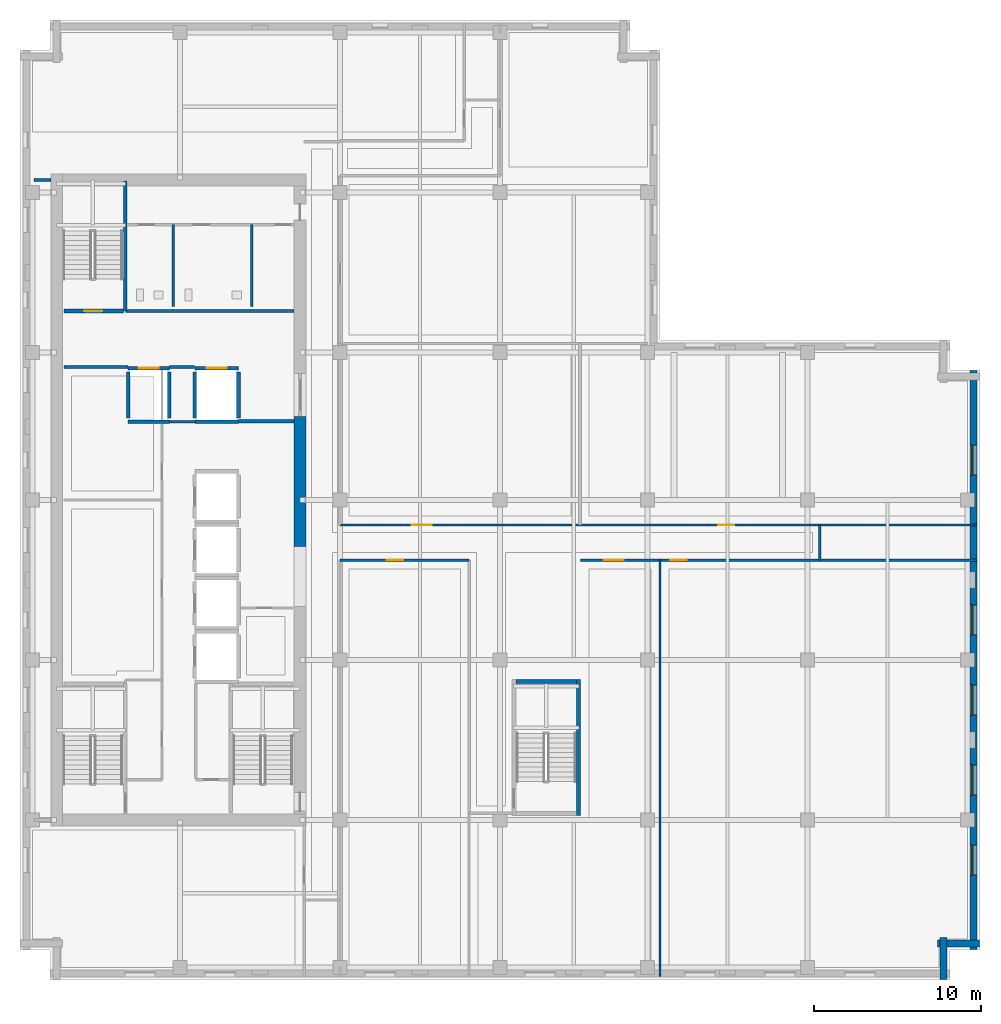
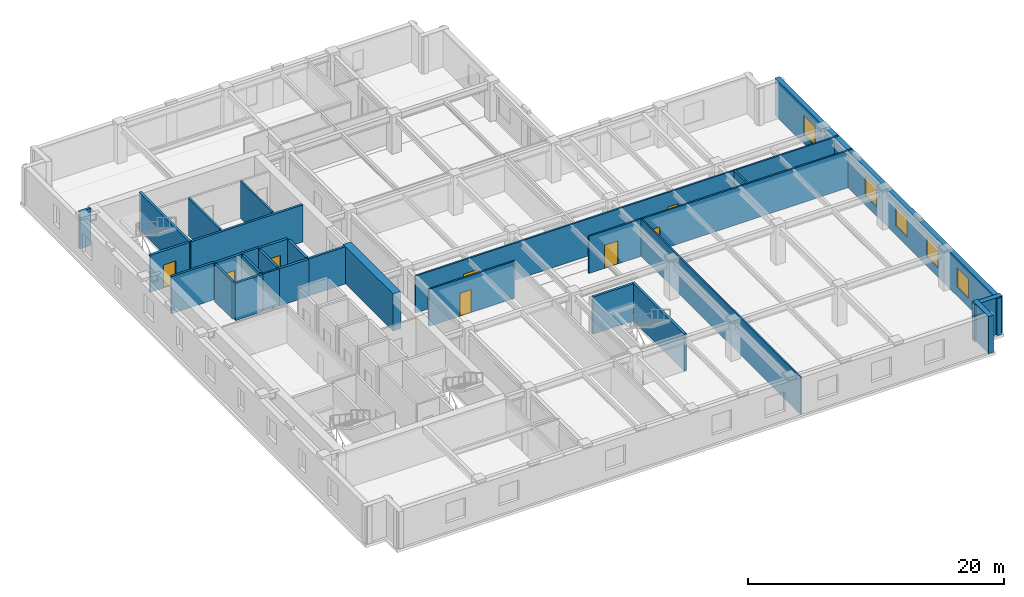
# One storey, part 5 of 14: 29 walls, 8 doors, 5 windows, 13 openings.
"""IFC4 building model written with IfcOpenShell, lengths in metres."""

from ifc_helpers import new_model, si_unit, direction, frame, frame_2d, origin, place, context, subcontext, project, spatial, rectangle, extrude, material, layer, layer_set, type_object, element, fill, save


model = new_model("IFC4")

# Units and contexts
model_context = context("Model", 3, precision=1e-05, world=origin(), true_north=direction((0.0, 1.0)))
body_context = subcontext(model_context, "Body", "Model", "MODEL_VIEW")
ifc_project = project(units=[si_unit("LENGTHUNIT", "METRE"), si_unit("AREAUNIT", "SQUARE_METRE"), si_unit("VOLUMEUNIT", "CUBIC_METRE"), si_unit("PLANEANGLEUNIT", "RADIAN"), si_unit("MASSUNIT", "GRAM", prefix="KILO")], contexts=[model_context])

# Site, building, storey
site_placement = place(None, origin())
site = spatial("IfcSite", under=ifc_project, at=site_placement, CompositionType="ELEMENT")
building_placement = place(site_placement, origin())
building = spatial("IfcBuilding", under=site, at=building_placement, Name="Norrvale University Quadrangle", CompositionType="ELEMENT")
storey_placement = place(building_placement, frame((0.0, 0.0, 218.0)))
storey = spatial("IfcBuildingStorey", under=building, at=storey_placement, Name="L55", CompositionType="ELEMENT", Elevation=218.0)

# Walls
ifc_material_1 = material(Name="Buff Norman Clay Brick Masonry", Category="masonry")
ifc_layer_1 = layer(ifc_material_1, 0.419921875, Name="Buff Norman Clay Brick Masonry")
ifc_layer_set_1 = layer_set([ifc_layer_1], Name="Buff Norman Clay Brick Masonry")
wall_type_1 = type_object("IfcWallType", Name="Wall Buff Brick 420", PredefinedType="SOLIDWALL", material=ifc_layer_set_1)
for number, where, z_axis, x_axis, name in (
    (1, (55.409912109375, 0.0400390625, 0.0), (0.0, 0.0, 1.0), (0.0, 1.0, 0.0), "Exterior Brick Facade Wall L55-02.1"),
    (2, (55.06005859375, 2.18994140625, 0.0), (0.0, 0.0, 1.0), (1.0, 0.0, 0.0), "Exterior Brick Facade Wall L55-03.1"),
):
    element("IfcWall", number, at=place(storey_placement, frame(where, z_axis=z_axis, x_axis=x_axis)), inside=storey, type_object=wall_type_1, Name=name, PredefinedType="SOLIDWALL", context=body_context, shape_type="SweptSolid", body=[
        extrude(rectangle(XDim=2.5, YDim=0.419921875, at=frame_2d((1.25, 0.0))), origin(), (0.0, 0.0, 1.0), 3.5400390625),
    ])

# Wall, openings, windows
wall_1_placement = place(storey_placement, frame((57.2099609375, 1.840087890625, 0.0), z_axis=(0.0, 0.0, 1.0), x_axis=(0.0, 1.0, 0.0)))
wall_1 = element("IfcWall", 3, at=wall_1_placement, inside=storey, type_object=wall_type_1, Name="Exterior Brick Facade Wall L55-04.1", PredefinedType="SOLIDWALL", context=body_context, shape_type="SweptSolid", body=[
    extrude(rectangle(XDim=34.719970703125, YDim=0.419921875, at=frame_2d((17.35986328125, 0.0))), origin(), (0.0, 0.0, 1.0), 3.5400390625),
])
opening_1_placement = place(wall_1_placement, frame((4.4599609375, 0.0, 0.85009765625)))
opening_1 = element("IfcOpeningElement", 4, at=opening_1_placement, cuts=wall_1, Name="Opening W01", PredefinedType="OPENING", context=body_context, shape_type="SweptSolid", body=[
    extrude(rectangle(XDim=1.800048828125, YDim=1.85009765625, at=frame_2d((0.89990234375, 0.925048828125))), frame((0.0, 0.221923828125, 0.0), z_axis=(0.0, -1.0, 0.0), x_axis=(1.0, 0.0, 0.0)), (0.0, 0.0, 1.0), 0.44384765625),
])
opening_2_placement = place(wall_1_placement, frame((9.260009765625, 0.0, 0.85009765625)))
opening_2 = element("IfcOpeningElement", 5, at=opening_2_placement, cuts=wall_1, Name="Opening W01", PredefinedType="OPENING", context=body_context, shape_type="SweptSolid", body=[
    extrude(rectangle(XDim=1.800048828125, YDim=1.85009765625, at=frame_2d((0.89990234375, 0.925048828125))), frame((0.0, 0.221923828125, 0.0), z_axis=(0.0, -1.0, 0.0), x_axis=(1.0, 0.0, 0.0)), (0.0, 0.0, 1.0), 0.44384765625),
])
opening_3_placement = place(wall_1_placement, frame((14.06005859375, 0.0, 0.85009765625)))
opening_3 = element("IfcOpeningElement", 6, at=opening_3_placement, cuts=wall_1, Name="Opening W01", PredefinedType="OPENING", context=body_context, shape_type="SweptSolid", body=[
    extrude(rectangle(XDim=1.800048828125, YDim=1.85009765625, at=frame_2d((0.89990234375, 0.925048828125))), frame((0.0, 0.221923828125, 0.0), z_axis=(0.0, -1.0, 0.0), x_axis=(1.0, 0.0, 0.0)), (0.0, 0.0, 1.0), 0.44384765625),
])
opening_4_placement = place(wall_1_placement, frame((18.860107421875, 0.0, 0.85009765625)))
opening_4 = element("IfcOpeningElement", 7, at=opening_4_placement, cuts=wall_1, Name="Opening W01", PredefinedType="OPENING", context=body_context, shape_type="SweptSolid", body=[
    extrude(rectangle(XDim=1.800048828125, YDim=1.85009765625, at=frame_2d((0.89990234375, 0.925048828125))), frame((0.0, 0.221923828125, 0.0), z_axis=(0.0, -1.0, 0.0), x_axis=(1.0, 0.0, 0.0)), (0.0, 0.0, 1.0), 0.44384765625),
])
opening_5_placement = place(wall_1_placement, frame((28.4599609375, 0.0, 0.85009765625)))
opening_5 = element("IfcOpeningElement", 8, at=opening_5_placement, cuts=wall_1, Name="Opening W01", PredefinedType="OPENING", context=body_context, shape_type="SweptSolid", body=[
    extrude(rectangle(XDim=1.800048828125, YDim=1.85009765625, at=frame_2d((0.89990234375, 0.925048828125))), frame((0.0, 0.221923828125, 0.0), z_axis=(0.0, -1.0, 0.0), x_axis=(1.0, 0.0, 0.0)), (0.0, 0.0, 1.0), 0.44384765625),
])
ifc_material_2 = material(Name="Triple Low-E Argon Glazing", Category="glass")
window_type = type_object("IfcWindowType", Name="Window Academic 1800x2300", PartitioningType="DOUBLE_PANEL_VERTICAL", PredefinedType="WINDOW", material=ifc_material_2)
window_1_placement = place(opening_1_placement, origin())
window_1 = element("IfcWindow", 9, at=window_1_placement, inside=storey, type_object=window_type, Name="Window Academic 1800x2300 WIN-L55-E04-1-01", OverallHeight=1.85009765625, OverallWidth=1.800048828125, PartitioningType="DOUBLE_PANEL_VERTICAL", PredefinedType="WINDOW", context=body_context, shape_type="SweptSolid", body=[
    extrude(rectangle(XDim=1.800048828125, YDim=1.85009765625, at=frame_2d((0.89990234375, 0.925048828125))), frame((0.0, 0.110107421875, 0.0), z_axis=(0.0, -1.0, 0.0), x_axis=(1.0, 0.0, 0.0)), (0.0, 0.0, 1.0), 0.06005859375),
])
fill(opening_1, window_1)
window_2_placement = place(opening_2_placement, origin())
window_2 = element("IfcWindow", 10, at=window_2_placement, inside=storey, type_object=window_type, Name="Window Academic 1800x2300 WIN-L55-E04-1-02", OverallHeight=1.85009765625, OverallWidth=1.800048828125, PartitioningType="DOUBLE_PANEL_VERTICAL", PredefinedType="WINDOW", context=body_context, shape_type="SweptSolid", body=[
    extrude(rectangle(XDim=1.800048828125, YDim=1.85009765625, at=frame_2d((0.89990234375, 0.925048828125))), frame((0.0, 0.110107421875, 0.0), z_axis=(0.0, -1.0, 0.0), x_axis=(1.0, 0.0, 0.0)), (0.0, 0.0, 1.0), 0.06005859375),
])
fill(opening_2, window_2)
window_3_placement = place(opening_3_placement, origin())
window_3 = element("IfcWindow", 11, at=window_3_placement, inside=storey, type_object=window_type, Name="Window Academic 1800x2300 WIN-L55-E04-1-03", OverallHeight=1.85009765625, OverallWidth=1.800048828125, PartitioningType="DOUBLE_PANEL_VERTICAL", PredefinedType="WINDOW", context=body_context, shape_type="SweptSolid", body=[
    extrude(rectangle(XDim=1.800048828125, YDim=1.85009765625, at=frame_2d((0.89990234375, 0.925048828125))), frame((0.0, 0.110107421875, 0.0), z_axis=(0.0, -1.0, 0.0), x_axis=(1.0, 0.0, 0.0)), (0.0, 0.0, 1.0), 0.06005859375),
])
fill(opening_3, window_3)
window_4_placement = place(opening_4_placement, origin())
window_4 = element("IfcWindow", 12, at=window_4_placement, inside=storey, type_object=window_type, Name="Window Academic 1800x2300 WIN-L55-E04-1-04", OverallHeight=1.85009765625, OverallWidth=1.800048828125, PartitioningType="DOUBLE_PANEL_VERTICAL", PredefinedType="WINDOW", context=body_context, shape_type="SweptSolid", body=[
    extrude(rectangle(XDim=1.800048828125, YDim=1.85009765625, at=frame_2d((0.89990234375, 0.925048828125))), frame((0.0, 0.110107421875, 0.0), z_axis=(0.0, -1.0, 0.0), x_axis=(1.0, 0.0, 0.0)), (0.0, 0.0, 1.0), 0.06005859375),
])
fill(opening_4, window_4)
window_5_placement = place(opening_5_placement, origin())
window_5 = element("IfcWindow", 13, at=window_5_placement, inside=storey, type_object=window_type, Name="Window Academic 1800x2300 WIN-L55-E04-1-05", OverallHeight=1.85009765625, OverallWidth=1.800048828125, PartitioningType="DOUBLE_PANEL_VERTICAL", PredefinedType="WINDOW", context=body_context, shape_type="SweptSolid", body=[
    extrude(rectangle(XDim=1.800048828125, YDim=1.85009765625, at=frame_2d((0.89990234375, 0.925048828125))), frame((0.0, 0.110107421875, 0.0), z_axis=(0.0, -1.0, 0.0), x_axis=(1.0, 0.0, 0.0)), (0.0, 0.0, 1.0), 0.06005859375),
])
fill(opening_5, window_5)

# Walls
ifc_material_3 = material(Name="Concrete C60/75", Category="concrete")
ifc_layer_2 = layer(ifc_material_3, 0.699951171875, Name="Concrete C60/75")
ifc_layer_set_2 = layer_set([ifc_layer_2], Name="Concrete C60/75")
wall_type_2 = type_object("IfcWallType", Name="Wall Core 700", PredefinedType="SHEAR", material=ifc_layer_set_2)
wall_2_placement = place(storey_placement, frame((16.800048828125, 26.0, 0.0), z_axis=(0.0, 0.0, 1.0), x_axis=(0.0, 1.0, 0.0)))
element("IfcWall", 14, at=wall_2_placement, inside=storey, type_object=wall_type_2, Name="Tower Core Shear Wall L55-E2", PredefinedType="SHEAR", context=body_context, shape_type="SweptSolid", body=[
    extrude(rectangle(XDim=7.800048828125, YDim=0.699951171875, at=frame_2d((3.89990234375, 0.0))), origin(), (0.0, 0.0, 1.0), 3.5400390625),
])
ifc_material_4 = material(Name="Standard Academic Gypsum Partition")
ifc_layer_3 = layer(ifc_material_4, 0.125, Name="Standard Academic Gypsum Partition")
ifc_layer_set_3 = layer_set([ifc_layer_3], Name="Standard Academic Gypsum Partition")
wall_type_3 = type_object("IfcWallType", Name="Wall Gypsum Academic 125", PredefinedType="PARTITIONING", material=ifc_layer_set_3)
wall_3_placement = place(storey_placement, frame((38.39990234375, 0.219970703125, 0.0), z_axis=(0.0, 0.0, 1.0), x_axis=(0.0, 1.0, 0.0)))
element("IfcWall", 15, at=wall_3_placement, inside=storey, type_object=wall_type_3, Name="Interior Partition WL-L55-SEP2", PredefinedType="PARTITIONING", context=body_context, shape_type="SweptSolid", body=[
    extrude(rectangle(XDim=24.97998046875, YDim=0.125, at=frame_2d((12.489990234375, 0.0))), origin(), (0.0, 0.0, 1.0), 3.5400390625),
])
ifc_material_5 = material(Name="Fire-Rated Gypsum Stud Partition")
ifc_layer_4 = layer(ifc_material_5, 0.14990234375, Name="Fire-Rated Gypsum Stud Partition")
ifc_layer_set_4 = layer_set([ifc_layer_4], Name="Fire-Rated Gypsum Stud Partition")
wall_type_4 = type_object("IfcWallType", Name="Wall Gypsum Corridor 150", PredefinedType="PARTITIONING", material=ifc_layer_set_4)
wall_4_placement = place(storey_placement, frame((8.965087890625, 33.489990234375, 0.0), z_axis=(0.0, 0.0, 1.0), x_axis=(1.0, 0.0, 0.0)))
element("IfcWall", 16, at=wall_4_placement, inside=storey, type_object=wall_type_4, Name="Interior Partition WL-L55-LL3", PredefinedType="PARTITIONING", context=body_context, shape_type="SweptSolid", body=[
    extrude(rectangle(XDim=1.52001953125, YDim=0.14990234375, at=frame_2d((0.760009765625, 0.0))), origin(), (0.0, 0.0, 1.0), 3.5400390625),
])
wall_5_placement = place(storey_placement, frame((48.0, 25.199951171875, 0.0), z_axis=(0.0, 0.0, 1.0), x_axis=(0.0, 1.0, 0.0)))
element("IfcWall", 17, at=wall_5_placement, inside=storey, type_object=wall_type_4, Name="Interior Partition WL-L55-CESP-E", PredefinedType="PARTITIONING", context=body_context, shape_type="SweptSolid", body=[
    extrude(rectangle(XDim=2.10009765625, YDim=0.14990234375, at=frame_2d((1.050048828125, 0.0))), origin(), (0.0, 0.0, 1.0), 3.5400390625),
])

# Wall, opening, door
wall_6_placement = place(storey_placement, frame((19.199951171875, 25.199951171875, 0.0), z_axis=(0.0, 0.0, 1.0), x_axis=(1.0, 0.0, 0.0)))
wall_6 = element("IfcWall", 18, at=wall_6_placement, inside=storey, type_object=wall_type_4, Name="Interior Partition WL-L55-SEW1", PredefinedType="PARTITIONING", context=body_context, shape_type="SweptSolid", body=[
    extrude(rectangle(XDim=7.75, YDim=0.14990234375, at=frame_2d((3.875, 0.0))), origin(), (0.0, 0.0, 1.0), 3.5400390625),
])
opening_6_placement = place(wall_6_placement, frame((2.800048828125, 0.0, 0.0)))
opening_6 = element("IfcOpeningElement", 19, at=opening_6_placement, cuts=wall_6, Name="Opening D04", PredefinedType="OPENING", context=body_context, shape_type="SweptSolid", body=[
    extrude(rectangle(XDim=1.0, YDim=2.199951171875, at=frame_2d((0.5, 1.10009765625))), frame((0.0, 0.0869140625, 0.0), z_axis=(0.0, -1.0, 0.0), x_axis=(1.0, 0.0, 0.0)), (0.0, 0.0, 1.0), 0.173828125),
])
ifc_material_6 = material(Name="Solid-Core Oak Fire Door", Category="wood")
door_type_1 = type_object("IfcDoorType", Name="Door Corridor 1000x2200", OperationType="NOTDEFINED", PredefinedType="DOOR", material=ifc_material_6)
door_1_placement = place(opening_6_placement, origin())
door_1 = element("IfcDoor", 20, at=door_1_placement, inside=storey, type_object=door_type_1, Name="Door Corridor 1000x2200 DR-L55-SE1", OperationType="SINGLE_SWING_LEFT", OverallHeight=2.199951171875, OverallWidth=1.0, PredefinedType="DOOR", context=body_context, shape_type="SweptSolid", body=[
    extrude(rectangle(XDim=1.0, YDim=2.199951171875, at=frame_2d((0.5, 1.10009765625))), frame((0.0, 0.02490234375, 0.0), z_axis=(0.0, -1.0, 0.0), x_axis=(1.0, 0.0, 0.0)), (0.0, 0.0, 1.0), 0.050048828125),
])
fill(opening_6, door_1)

# Wall, openings, doors
wall_7_placement = place(storey_placement, frame((33.6201171875, 25.199951171875, 0.0), z_axis=(0.0, 0.0, 1.0), x_axis=(1.0, 0.0, 0.0)))
wall_7 = element("IfcWall", 21, at=wall_7_placement, inside=storey, type_object=wall_type_4, Name="Interior Partition WL-L55-SEW2", PredefinedType="PARTITIONING", context=body_context, shape_type="SweptSolid", body=[
    extrude(rectangle(XDim=23.759765625, YDim=0.14990234375, at=frame_2d((11.8798828125, 0.0))), origin(), (0.0, 0.0, 1.0), 3.5400390625),
])
opening_7_placement = place(wall_7_placement, frame((1.39990234375, 0.0, 0.0)))
opening_7 = element("IfcOpeningElement", 22, at=opening_7_placement, cuts=wall_7, Name="Opening D05", PredefinedType="OPENING", context=body_context, shape_type="SweptSolid", body=[
    extrude(rectangle(XDim=1.199951171875, YDim=2.199951171875, at=frame_2d((0.60009765625, 1.10009765625))), frame((0.0, 0.0869140625, 0.0), z_axis=(0.0, -1.0, 0.0), x_axis=(1.0, 0.0, 0.0)), (0.0, 0.0, 1.0), 0.173828125),
])
opening_8_placement = place(wall_7_placement, frame((5.39990234375, 0.0, 0.0)))
opening_8 = element("IfcOpeningElement", 23, at=opening_8_placement, cuts=wall_7, Name="Opening D04", PredefinedType="OPENING", context=body_context, shape_type="SweptSolid", body=[
    extrude(rectangle(XDim=1.0, YDim=2.199951171875, at=frame_2d((0.5, 1.10009765625))), frame((0.0, 0.0869140625, 0.0), z_axis=(0.0, -1.0, 0.0), x_axis=(1.0, 0.0, 0.0)), (0.0, 0.0, 1.0), 0.173828125),
])
ifc_material_7 = material(Name="Acoustic Oak Classroom Door", Category="wood")
door_type_2 = type_object("IfcDoorType", Name="Door Classroom 1200x2200", OperationType="NOTDEFINED", PredefinedType="DOOR", material=ifc_material_7)
door_2_placement = place(opening_7_placement, origin())
door_2 = element("IfcDoor", 24, at=door_2_placement, inside=storey, type_object=door_type_2, Name="Door Classroom 1200x2200 DR-L55-SE2", OperationType="SINGLE_SWING_RIGHT", OverallHeight=2.199951171875, OverallWidth=1.199951171875, PredefinedType="DOOR", context=body_context, shape_type="SweptSolid", body=[
    extrude(rectangle(XDim=1.199951171875, YDim=2.199951171875, at=frame_2d((0.60009765625, 1.10009765625))), frame((0.0, 0.02490234375, 0.0), z_axis=(0.0, -1.0, 0.0), x_axis=(1.0, 0.0, 0.0)), (0.0, 0.0, 1.0), 0.050048828125),
])
fill(opening_7, door_2)
door_3_placement = place(opening_8_placement, origin())
door_3 = element("IfcDoor", 25, at=door_3_placement, inside=storey, type_object=door_type_1, Name="Door Corridor 1000x2200 DR-L55-SE3", OperationType="SINGLE_SWING_LEFT", OverallHeight=2.199951171875, OverallWidth=1.0, PredefinedType="DOOR", context=body_context, shape_type="SweptSolid", body=[
    extrude(rectangle(XDim=1.0, YDim=2.199951171875, at=frame_2d((0.5, 1.10009765625))), frame((0.0, 0.02490234375, 0.0), z_axis=(0.0, -1.0, 0.0), x_axis=(1.0, 0.0, 0.0)), (0.0, 0.0, 1.0), 0.050048828125),
])
fill(opening_8, door_3)

wall_8_placement = place(storey_placement, frame((19.199951171875, 27.300048828125, 0.0), z_axis=(0.0, 0.0, 1.0), x_axis=(1.0, 0.0, 0.0)))
wall_8 = element("IfcWall", 26, at=wall_8_placement, inside=storey, type_object=wall_type_4, Name="Interior Partition WL-L55-MECW", PredefinedType="PARTITIONING", context=body_context, shape_type="SweptSolid", body=[
    extrude(rectangle(XDim=38.179931640625, YDim=0.14990234375, at=frame_2d((19.08984375, 0.0))), origin(), (0.0, 0.0, 1.0), 3.5400390625),
])
opening_9_placement = place(wall_8_placement, frame((4.300048828125, 0.0, 0.0)))
opening_9 = element("IfcOpeningElement", 27, at=opening_9_placement, cuts=wall_8, Name="Opening D05", PredefinedType="OPENING", context=body_context, shape_type="SweptSolid", body=[
    extrude(rectangle(XDim=1.199951171875, YDim=2.199951171875, at=frame_2d((0.60009765625, 1.10009765625))), frame((0.0, 0.0869140625, 0.0), z_axis=(0.0, -1.0, 0.0), x_axis=(1.0, 0.0, 0.0)), (0.0, 0.0, 1.0), 0.173828125),
])
opening_10_placement = place(wall_8_placement, frame((22.699951171875, 0.0, 0.0)))
opening_10 = element("IfcOpeningElement", 28, at=opening_10_placement, cuts=wall_8, Name="Opening D07", PredefinedType="OPENING", context=body_context, shape_type="SweptSolid", body=[
    extrude(rectangle(XDim=0.949951171875, YDim=2.14990234375, at=frame_2d((0.47509765625, 1.074951171875))), frame((0.0, 0.0869140625, 0.0), z_axis=(0.0, -1.0, 0.0), x_axis=(1.0, 0.0, 0.0)), (0.0, 0.0, 1.0), 0.173828125),
])
door_4_placement = place(opening_9_placement, origin())
door_4 = element("IfcDoor", 29, at=door_4_placement, inside=storey, type_object=door_type_2, Name="Door Classroom 1200x2200 DR-L55-ME01", OperationType="SINGLE_SWING_LEFT", OverallHeight=2.199951171875, OverallWidth=1.199951171875, PredefinedType="DOOR", context=body_context, shape_type="SweptSolid", body=[
    extrude(rectangle(XDim=1.199951171875, YDim=2.199951171875, at=frame_2d((0.60009765625, 1.10009765625))), frame((0.0, 0.02490234375, 0.0), z_axis=(0.0, -1.0, 0.0), x_axis=(1.0, 0.0, 0.0)), (0.0, 0.0, 1.0), 0.050048828125),
])
fill(opening_9, door_4)
ifc_material_8 = material(Name="Solid-Core Maple Door", Category="wood")
door_type_3 = type_object("IfcDoorType", Name="Door Office 950x2150", OperationType="NOTDEFINED", PredefinedType="DOOR", material=ifc_material_8)
door_5_placement = place(opening_10_placement, origin())
door_5 = element("IfcDoor", 30, at=door_5_placement, inside=storey, type_object=door_type_3, Name="Door Office 950x2150 DR-L55-ME02", OperationType="SINGLE_SWING_RIGHT", OverallHeight=2.14990234375, OverallWidth=0.949951171875, PredefinedType="DOOR", context=body_context, shape_type="SweptSolid", body=[
    extrude(rectangle(XDim=0.949951171875, YDim=2.14990234375, at=frame_2d((0.47509765625, 1.074951171875))), frame((0.0, 0.02490234375, 0.0), z_axis=(0.0, -1.0, 0.0), x_axis=(1.0, 0.0, 0.0)), (0.0, 0.0, 1.0), 0.050048828125),
])
fill(opening_10, door_5)

# Walls
ifc_material_9 = material(Name="Sanitary Chase Gypsum Partition")
ifc_layer_5 = layer(ifc_material_9, 0.1650390625, Name="Sanitary Chase Gypsum Partition")
ifc_layer_set_5 = layer_set([ifc_layer_5], Name="Sanitary Chase Gypsum Partition")
wall_type_5 = type_object("IfcWallType", Name="Wall Gypsum Sanitary 165", PredefinedType="PLUMBINGWALL", material=ifc_layer_set_5)
for number, where, z_axis, x_axis, name in (
    (31, (9.199951171875, 40.39990234375, 0.0), (0.0, 0.0, 1.0), (0.0, 1.0, 0.0), "Interior Partition WL-L55-WCM1"),
    (32, (13.89990234375, 40.39990234375, 0.0), (0.0, 0.0, 1.0), (0.0, 1.0, 0.0), "Interior Partition WL-L55-WCM2"),
):
    element("IfcWall", number, at=place(storey_placement, frame(where, z_axis=z_axis, x_axis=x_axis)), inside=storey, type_object=wall_type_5, Name=name, PredefinedType="PLUMBINGWALL", context=body_context, shape_type="SweptSolid", body=[
        extrude(rectangle(XDim=4.920166015625, YDim=0.1650390625, at=frame_2d((2.4599609375, 0.0))), origin(), (0.0, 0.0, 1.0), 3.5400390625),
    ])
ifc_material_10 = material(Name="Concrete Blockwork 20 MPa Rated Wall", Category="masonry")
ifc_layer_6 = layer(ifc_material_10, 0.199951171875, Name="Concrete Blockwork 20 MPa Rated Wall")
ifc_layer_set_6 = layer_set([ifc_layer_6], Name="Concrete Blockwork 20 MPa Rated Wall")
wall_type_6 = type_object("IfcWallType", Name="Wall Lobby 200", PredefinedType="SOLIDWALL", material=ifc_layer_set_6)
wall_9_placement = place(storey_placement, frame((2.64990234375, 36.780029296875, 0.0), z_axis=(0.0, 0.0, 1.0), x_axis=(1.0, 0.0, 0.0)))
element("IfcWall", 33, at=wall_9_placement, inside=storey, type_object=wall_type_6, Name="Interior Partition WL-L55-FF1", PredefinedType="SOLIDWALL", context=body_context, shape_type="SweptSolid", body=[
    extrude(rectangle(XDim=3.830078125, YDim=0.199951171875, at=frame_2d((1.9150390625, 0.0))), origin(), (0.0, 0.0, 1.0), 3.5400390625),
])
wall_10_placement = place(storey_placement, frame((8.969970703125, 36.780029296875, 0.0), z_axis=(0.0, 0.0, 1.0), x_axis=(1.0, 0.0, 0.0)))
element("IfcWall", 34, at=wall_10_placement, inside=storey, type_object=wall_type_6, Name="Interior Partition WL-L55-FF2", PredefinedType="SOLIDWALL", context=body_context, shape_type="SweptSolid", body=[
    extrude(rectangle(XDim=1.510009765625, YDim=0.199951171875, at=frame_2d((0.7548828125, 0.0))), origin(), (0.0, 0.0, 1.0), 3.5400390625),
])
wall_11_placement = place(storey_placement, frame((13.1201171875, 33.52001953125, 0.0), z_axis=(0.0, 0.0, 1.0), x_axis=(1.0, 0.0, 0.0)))
element("IfcWall", 35, at=wall_11_placement, inside=storey, type_object=wall_type_6, Name="Interior Partition WL-L55-FF3", PredefinedType="SOLIDWALL", context=body_context, shape_type="SweptSolid", body=[
    extrude(rectangle(XDim=3.329833984375, YDim=0.199951171875, at=frame_2d((1.6650390625, 0.0))), origin(), (0.0, 0.0, 1.0), 3.5400390625),
])
wall_12_placement = place(storey_placement, frame((6.320068359375, 40.139892578125, 0.0), z_axis=(0.0, 0.0, 1.0), x_axis=(1.0, 0.0, 0.0)))
element("IfcWall", 36, at=wall_12_placement, inside=storey, type_object=wall_type_6, Name="Interior Partition WL-L55-FF4", PredefinedType="SOLIDWALL", context=body_context, shape_type="SweptSolid", body=[
    extrude(rectangle(XDim=10.1298828125, YDim=0.199951171875, at=frame_2d((5.06494140625, 0.0))), origin(), (0.0, 0.0, 1.0), 3.5400390625),
])
wall_13_placement = place(storey_placement, frame((0.85009765625, 48.0, 0.0), z_axis=(0.0, 0.0, 1.0), x_axis=(1.0, 0.0, 0.0)))
element("IfcWall", 37, at=wall_13_placement, inside=storey, type_object=wall_type_6, Name="Interior Partition WL-L55-CWRET-N", PredefinedType="SOLIDWALL", context=body_context, shape_type="SweptSolid", body=[
    extrude(rectangle(XDim=0.994873046875, YDim=0.199951171875, at=frame_2d((0.49755859375, 0.0))), origin(), (0.0, 0.0, 1.0), 3.5400390625),
])

# Wall, opening, door
ifc_material_11 = material(Name="Concrete Blockwork 20 MPa Fire Shaft", Category="masonry")
ifc_layer_7 = layer(ifc_material_11, 0.219970703125, Name="Concrete Blockwork 20 MPa Fire Shaft")
ifc_layer_set_7 = layer_set([ifc_layer_7], Name="Concrete Blockwork 20 MPa Fire Shaft")
wall_type_7 = type_object("IfcWallType", Name="Wall Shaft 220", PredefinedType="SOLIDWALL", material=ifc_layer_set_7)
wall_14_placement = place(storey_placement, frame((2.64990234375, 40.139892578125, 0.0), z_axis=(0.0, 0.0, 1.0), x_axis=(1.0, 0.0, 0.0)))
wall_14 = element("IfcWall", 38, at=wall_14_placement, inside=storey, type_object=wall_type_7, Name="Stair ST-02 South Shaft Wall L55", PredefinedType="SOLIDWALL", context=body_context, shape_type="SweptSolid", body=[
    extrude(rectangle(XDim=3.550048828125, YDim=0.219970703125, at=frame_2d((1.77490234375, 0.0))), origin(), (0.0, 0.0, 1.0), 3.5400390625),
])
opening_11_placement = place(wall_14_placement, frame((1.199951171875, 0.0, 0.0)))
opening_11 = element("IfcOpeningElement", 39, at=opening_11_placement, cuts=wall_14, Name="Opening D02", PredefinedType="OPENING", context=body_context, shape_type="SweptSolid", body=[
    extrude(rectangle(XDim=1.10009765625, YDim=2.199951171875, at=frame_2d((0.550048828125, 1.10009765625))), frame((0.0, 0.1220703125, 0.0), z_axis=(0.0, -1.0, 0.0), x_axis=(1.0, 0.0, 0.0)), (0.0, 0.0, 1.0), 0.243896484375),
])
ifc_material_12 = material(Name="Hollow Steel 350W Fire Door", Category="steel")
door_type_4 = type_object("IfcDoorType", Name="Door Stair Exit 1100x2200", OperationType="NOTDEFINED", PredefinedType="DOOR", material=ifc_material_12)
door_6_placement = place(opening_11_placement, origin())
door_6 = element("IfcDoor", 40, at=door_6_placement, inside=storey, type_object=door_type_4, Name="Door Stair Exit 1100x2200 DR-L55-ST02", OperationType="SINGLE_SWING_LEFT", OverallHeight=2.199951171875, OverallWidth=1.10009765625, PredefinedType="DOOR", context=body_context, shape_type="SweptSolid", body=[
    extrude(rectangle(XDim=1.10009765625, YDim=2.199951171875, at=frame_2d((0.550048828125, 1.10009765625))), frame((0.0, 0.02490234375, 0.0), z_axis=(0.0, -1.0, 0.0), x_axis=(1.0, 0.0, 0.0)), (0.0, 0.0, 1.0), 0.050048828125),
])
fill(opening_11, door_6)

# Walls
wall_15_placement = place(storey_placement, frame((6.31005859375, 40.139892578125, 0.0), z_axis=(0.0, 0.0, 1.0), x_axis=(0.0, 1.0, 0.0)))
element("IfcWall", 41, at=wall_15_placement, inside=storey, type_object=wall_type_7, Name="Stair ST-02 East Shaft Wall L55", PredefinedType="SOLIDWALL", context=body_context, shape_type="SweptSolid", body=[
    extrude(rectangle(XDim=7.81005859375, YDim=0.219970703125, at=frame_2d((3.905029296875, 0.0))), origin(), (0.0, 0.0, 1.0), 3.5400390625),
])
wall_16_placement = place(storey_placement, frame((33.510009765625, 9.8798828125, 0.0), z_axis=(0.0, 0.0, 1.0), x_axis=(0.0, 1.0, 0.0)))
element("IfcWall", 42, at=wall_16_placement, inside=storey, type_object=wall_type_7, Name="Stair ST-04 East Shaft Wall L55", PredefinedType="SOLIDWALL", context=body_context, shape_type="SweptSolid", body=[
    extrude(rectangle(XDim=8.14013671875, YDim=0.219970703125, at=frame_2d((4.070068359375, 0.0))), origin(), (0.0, 0.0, 1.0), 3.5400390625),
])
wall_17_placement = place(storey_placement, frame((29.75, 17.909912109375, 0.0), z_axis=(0.0, 0.0, 1.0), x_axis=(1.0, 0.0, 0.0)))
element("IfcWall", 43, at=wall_17_placement, inside=storey, type_object=wall_type_7, Name="Stair ST-04 North Shaft Wall L55", PredefinedType="SOLIDWALL", context=body_context, shape_type="SweptSolid", body=[
    extrude(rectangle(XDim=3.64990234375, YDim=0.219970703125, at=frame_2d((1.824951171875, 0.0))), origin(), (0.0, 0.0, 1.0), 3.5400390625),
])
for number, where, z_axis, x_axis, name in (
    (44, (6.489990234375, 33.7099609375, 0.0), (0.0, 0.0, 1.0), (0.0, 1.0, 0.0), "Hoistway FFL-01 West Wall L55"),
    (45, (8.9599609375, 33.7099609375, 0.0), (0.0, 0.0, 1.0), (0.0, 1.0, 0.0), "Hoistway FFL-01 East Wall L55"),
):
    element("IfcWall", number, at=place(storey_placement, frame(where, z_axis=z_axis, x_axis=x_axis)), inside=storey, type_object=wall_type_7, Name=name, PredefinedType="SOLIDWALL", context=body_context, shape_type="SweptSolid", body=[
        extrude(rectangle(XDim=2.780029296875, YDim=0.219970703125, at=frame_2d((1.39013671875, 0.0))), origin(), (0.0, 0.0, 1.0), 3.5400390625),
    ])
wall_18_placement = place(storey_placement, frame((6.489990234375, 33.489990234375, 0.0), z_axis=(0.0, 0.0, 1.0), x_axis=(1.0, 0.0, 0.0)))
element("IfcWall", 46, at=wall_18_placement, inside=storey, type_object=wall_type_7, Name="Hoistway FFL-01 South Wall L55", PredefinedType="SOLIDWALL", context=body_context, shape_type="SweptSolid", body=[
    extrude(rectangle(XDim=2.469970703125, YDim=0.219970703125, at=frame_2d((1.23486328125, 0.0))), origin(), (0.0, 0.0, 1.0), 3.5400390625),
])

# Wall, opening, door
wall_19_placement = place(storey_placement, frame((6.489990234375, 36.7099609375, 0.0), z_axis=(0.0, 0.0, 1.0), x_axis=(1.0, 0.0, 0.0)))
wall_19 = element("IfcWall", 47, at=wall_19_placement, inside=storey, type_object=wall_type_7, Name="Hoistway FFL-01 North Wall L55", PredefinedType="SOLIDWALL", context=body_context, shape_type="SweptSolid", body=[
    extrude(rectangle(XDim=2.469970703125, YDim=0.219970703125, at=frame_2d((1.23486328125, 0.0))), origin(), (0.0, 0.0, 1.0), 3.5400390625),
])
opening_12_placement = place(wall_19_placement, frame((0.635009765625, 0.0, 0.0)))
opening_12 = element("IfcOpeningElement", 48, at=opening_12_placement, cuts=wall_19, Name="Opening LD2", PredefinedType="OPENING", context=body_context, shape_type="SweptSolid", body=[
    extrude(rectangle(XDim=1.199951171875, YDim=2.199951171875, at=frame_2d((0.60009765625, 1.10009765625))), frame((0.0, 0.1220703125, 0.0), z_axis=(0.0, -1.0, 0.0), x_axis=(1.0, 0.0, 0.0)), (0.0, 0.0, 1.0), 0.243896484375),
])
ifc_material_13 = material(Name="Stainless Steel 316L Firefighter Lift Door", Category="steel")
door_type_5 = type_object("IfcDoorType", Name="Door Fire Lift 1200x2200", OperationType="DOUBLE_DOOR_SLIDING", PredefinedType="DOOR", material=ifc_material_13)
door_7_placement = place(opening_12_placement, origin())
door_7 = element("IfcDoor", 49, at=door_7_placement, inside=storey, type_object=door_type_5, Name="Elevator Landing Door DR-L55-FFL-01", OperationType="DOUBLE_DOOR_SLIDING", OverallHeight=2.199951171875, OverallWidth=1.199951171875, PredefinedType="DOOR", context=body_context, shape_type="SweptSolid", body=[
    extrude(rectangle(XDim=1.199951171875, YDim=2.199951171875, at=frame_2d((0.60009765625, 1.10009765625))), frame((0.0, 0.02490234375, 0.0), z_axis=(0.0, -1.0, 0.0), x_axis=(1.0, 0.0, 0.0)), (0.0, 0.0, 1.0), 0.050048828125),
])
fill(opening_12, door_7)

# Walls
for number, where, z_axis, x_axis, name in (
    (50, (10.489990234375, 33.7099609375, 0.0), (0.0, 0.0, 1.0), (0.0, 1.0, 0.0), "Hoistway FFL-02 West Wall L55"),
    (51, (13.110107421875, 33.7099609375, 0.0), (0.0, 0.0, 1.0), (0.0, 1.0, 0.0), "Hoistway FFL-02 East Wall L55"),
):
    element("IfcWall", number, at=place(storey_placement, frame(where, z_axis=z_axis, x_axis=x_axis)), inside=storey, type_object=wall_type_7, Name=name, PredefinedType="SOLIDWALL", context=body_context, shape_type="SweptSolid", body=[
        extrude(rectangle(XDim=2.780029296875, YDim=0.219970703125, at=frame_2d((1.39013671875, 0.0))), origin(), (0.0, 0.0, 1.0), 3.5400390625),
    ])
wall_20_placement = place(storey_placement, frame((10.489990234375, 33.489990234375, 0.0), z_axis=(0.0, 0.0, 1.0), x_axis=(1.0, 0.0, 0.0)))
element("IfcWall", 52, at=wall_20_placement, inside=storey, type_object=wall_type_7, Name="Hoistway FFL-02 South Wall L55", PredefinedType="SOLIDWALL", context=body_context, shape_type="SweptSolid", body=[
    extrude(rectangle(XDim=2.6201171875, YDim=0.219970703125, at=frame_2d((1.31005859375, 0.0))), origin(), (0.0, 0.0, 1.0), 3.5400390625),
])

# Wall, opening, door
wall_21_placement = place(storey_placement, frame((10.489990234375, 36.7099609375, 0.0), z_axis=(0.0, 0.0, 1.0), x_axis=(1.0, 0.0, 0.0)))
wall_21 = element("IfcWall", 53, at=wall_21_placement, inside=storey, type_object=wall_type_7, Name="Hoistway FFL-02 North Wall L55", PredefinedType="SOLIDWALL", context=body_context, shape_type="SweptSolid", body=[
    extrude(rectangle(XDim=2.6201171875, YDim=0.219970703125, at=frame_2d((1.31005859375, 0.0))), origin(), (0.0, 0.0, 1.0), 3.5400390625),
])
opening_13_placement = place(wall_21_placement, frame((0.7099609375, 0.0, 0.0)))
opening_13 = element("IfcOpeningElement", 54, at=opening_13_placement, cuts=wall_21, Name="Opening LD2", PredefinedType="OPENING", context=body_context, shape_type="SweptSolid", body=[
    extrude(rectangle(XDim=1.199951171875, YDim=2.199951171875, at=frame_2d((0.60009765625, 1.10009765625))), frame((0.0, 0.1220703125, 0.0), z_axis=(0.0, -1.0, 0.0), x_axis=(1.0, 0.0, 0.0)), (0.0, 0.0, 1.0), 0.243896484375),
])
door_8_placement = place(opening_13_placement, origin())
door_8 = element("IfcDoor", 55, at=door_8_placement, inside=storey, type_object=door_type_5, Name="Elevator Landing Door DR-L55-FFL-02", OperationType="DOUBLE_DOOR_SLIDING", OverallHeight=2.199951171875, OverallWidth=1.199951171875, PredefinedType="DOOR", context=body_context, shape_type="SweptSolid", body=[
    extrude(rectangle(XDim=1.199951171875, YDim=2.199951171875, at=frame_2d((0.60009765625, 1.10009765625))), frame((0.0, 0.02490234375, 0.0), z_axis=(0.0, -1.0, 0.0), x_axis=(1.0, 0.0, 0.0)), (0.0, 0.0, 1.0), 0.050048828125),
])
fill(opening_13, door_8)

save(model, "model.ifc")
